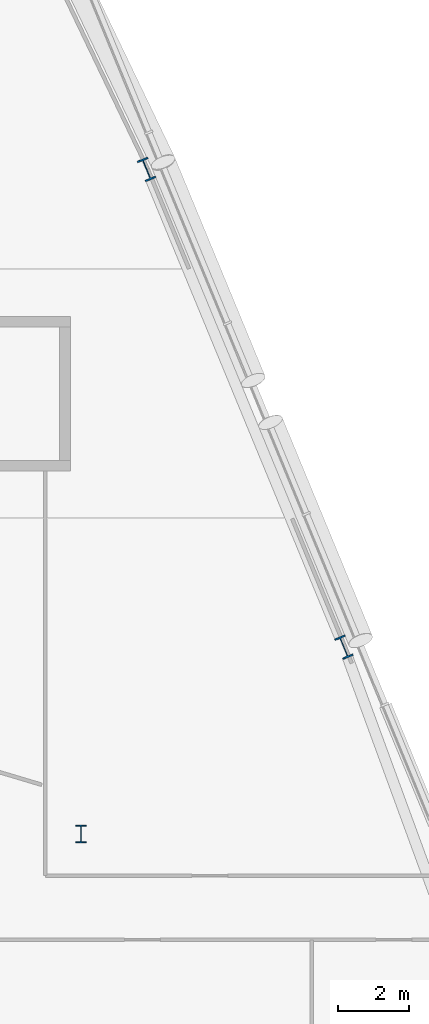
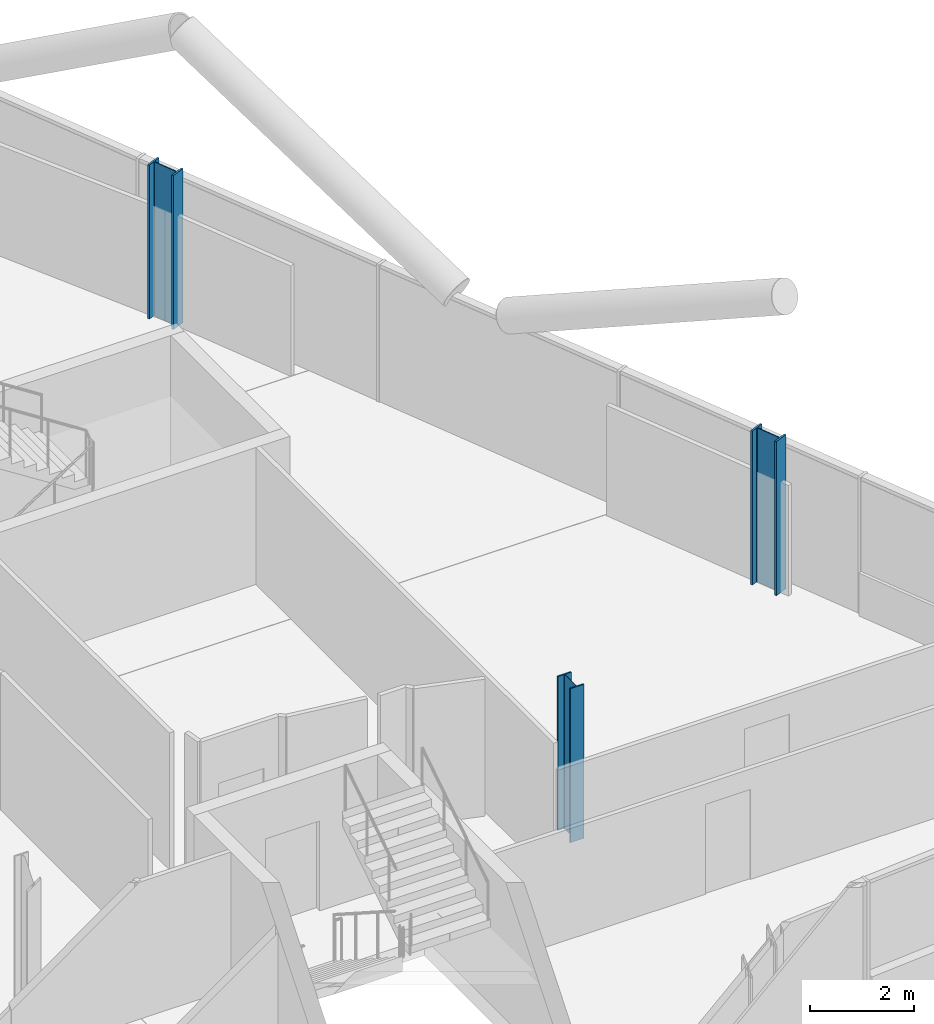
# One storey, part 5 of 27: 3 columns.
"""IFC4 building model written with IfcOpenShell, lengths in metres."""

import ifcopenshell
import ifcopenshell.guid

model = None  # the IFC model being written
_history = None  # IfcOwnerHistory: only IFC2X3 demands one
_inside = {}  # id of a spatial element -> (the spatial element, [elements in it])
_under = {}  # id of a project, library or spatial element -> (it, [spatial elements below it])
_declared = {}  # id of a project -> (the project, [libraries it declares])
_typed = {}  # id of a type object -> (the type object, [elements of that type])
_made_of = {}  # id of a material, layer set ... -> (it, [elements and type objects made of it])


def new_model(schema):
    """Start an empty IFC model of exactly this schema.

    Asked for "IFC4X3", IfcOpenShell would pick the latest addendum, in which some entities
    have other attributes; the version numbers below select the first issue.
    IFC2X3 requires an IfcOwnerHistory on every rooted entity: one is made here for all.
    """
    global model, _history
    if schema == "IFC4X3":
        model = ifcopenshell.file(schema_version=(4, 3, 0, 0))
    else:
        model = ifcopenshell.file(schema=schema)
    _inside.clear()
    _under.clear()
    _declared.clear()
    _typed.clear()
    _made_of.clear()
    _history = None
    if model.schema == "IFC2X3":
        org = make("IfcOrganization", Name="unknown")
        user = make(
            "IfcPersonAndOrganization",
            ThePerson=make("IfcPerson", FamilyName="unknown"),
            TheOrganization=org,
        )
        app = make(
            "IfcApplication",
            ApplicationDeveloper=org,
            Version="unknown",
            ApplicationFullName="unknown",
            ApplicationIdentifier="unknown",
        )
        _history = make(
            "IfcOwnerHistory",
            OwningUser=user,
            OwningApplication=app,
            ChangeAction="ADDED",
            CreationDate=0,
        )
    return model


def make(cls, **values):
    """One entity of the class cls with the attributes given. An attribute that is None is left unset."""
    return model.create_entity(
        cls, **{name: value for name, value in values.items() if value is not None}
    )


def rooted(cls, **values):
    """An entity with a GlobalId (a new one), such as an element, a storey or a relation."""
    return make(cls, GlobalId=ifcopenshell.guid.new(), OwnerHistory=_history, **values)


def si_unit(unit_type, name, prefix=None):
    """IfcSIUnit, for example si_unit("LENGTHUNIT", "METRE", prefix="MILLI")."""
    return make("IfcSIUnit", UnitType=unit_type, Prefix=prefix, Name=name)


def assignment(units):
    """IfcUnitAssignment: the units of a project."""
    return None if units is None else make("IfcUnitAssignment", Units=units)


def point(xyz):
    """IfcCartesianPoint."""
    return None if xyz is None else make("IfcCartesianPoint", Coordinates=xyz)


def direction(xyz):
    """IfcDirection."""
    return None if xyz is None else make("IfcDirection", DirectionRatios=xyz)


def frame(location, z_axis=None, x_axis=None):
    """IfcAxis2Placement3D, a coordinate frame: its origin and axes. An axis left out is left unset."""
    return make(
        "IfcAxis2Placement3D",
        Location=point(location),
        Axis=direction(z_axis),
        RefDirection=direction(x_axis),
    )


def frame_2d(location, x_axis=None):
    """IfcAxis2Placement2D, a coordinate frame in the plane: its origin and x axis."""
    return make(
        "IfcAxis2Placement2D", Location=point(location), RefDirection=direction(x_axis)
    )


def origin():
    """The frame at (0, 0, 0) with its axes left unset."""
    return frame((0.0, 0.0, 0.0))


def origin_2d():
    """The frame at (0, 0) in the plane with its x axis left unset."""
    return frame_2d((0.0, 0.0))


def place(relative_to, where):
    """IfcLocalPlacement: puts the frame where relative to a parent placement (None: the world)."""
    return make(
        "IfcLocalPlacement", PlacementRelTo=relative_to, RelativePlacement=where
    )


def context(
    kind, dimensions, precision=None, world=None, true_north=None, identifier=None
):
    """IfcGeometricRepresentationContext, for example the 3D "Model" context."""
    return make(
        "IfcGeometricRepresentationContext",
        ContextIdentifier=identifier,
        ContextType=kind,
        CoordinateSpaceDimension=dimensions,
        Precision=precision,
        WorldCoordinateSystem=world,
        TrueNorth=true_north,
    )


def subcontext(parent, identifier, kind, view, scale=None):
    """IfcGeometricRepresentationSubContext, for example "Body" below "Model"."""
    return make(
        "IfcGeometricRepresentationSubContext",
        ContextIdentifier=identifier,
        ContextType=kind,
        ParentContext=parent,
        TargetScale=scale,
        TargetView=view,
    )


def project(units=None, contexts=None):
    """IfcProject with its units and contexts."""
    return rooted(
        "IfcProject",
        Name="project",
        RepresentationContexts=contexts,
        UnitsInContext=assignment(units),
    )


def spatial(cls, under=None, at=None, **own):
    """A site, building, storey or space (cls), placed at a placement, below another one or the project."""
    s = rooted(cls, ObjectPlacement=at, **own)
    if under is not None:
        _under.setdefault(under.id(), (under, []))[1].append(s)
    return s


def profile(cls, at=None, kind="AREA", **sizes):
    """A parametric profile (cls). Its sizes go by their IFC names, for example OverallWidth=200.0."""
    return make(cls, ProfileType=kind, Position=at, **sizes)


def i_section(**sizes):
    """IfcIShapeProfileDef."""
    return profile("IfcIShapeProfileDef", **sizes)


def extrude(swept, where, along, depth):
    """IfcExtrudedAreaSolid: the profile swept, set in the frame where, extruded along a direction by depth."""
    return make(
        "IfcExtrudedAreaSolid",
        SweptArea=swept,
        Position=where,
        ExtrudedDirection=direction(along),
        Depth=depth,
    )


def shape(context_of_items, identifier, shape_type, items):
    """IfcShapeRepresentation: the items that make up one representation, for example the "Body"."""
    return make(
        "IfcShapeRepresentation",
        ContextOfItems=context_of_items,
        RepresentationIdentifier=identifier,
        RepresentationType=shape_type,
        Items=items,
    )


def material(Name=None, Category=None):
    """IfcMaterial."""
    return make("IfcMaterial", Name=Name, Category=Category)


def material_profile(
    of_material, cross_section, Name=None, Category=None, Priority=None
):
    """IfcMaterialProfile: a cross section and its material."""
    return make(
        "IfcMaterialProfile",
        Name=Name,
        Material=of_material,
        Profile=cross_section,
        Priority=Priority,
        Category=Category,
    )


def profile_set(profiles, Name=None, composite=None):
    """IfcMaterialProfileSet."""
    return make(
        "IfcMaterialProfileSet",
        Name=Name,
        MaterialProfiles=profiles,
        CompositeProfile=composite,
    )


def made_of(thing, what):
    """Note that an element or type object is made of a material, layer set ...; save() writes the relation."""
    if what is not None:
        _made_of.setdefault(what.id(), (what, []))[1].append(thing)
    return thing


def type_object(cls, material=None, **own):
    """A type object (cls), such as IfcWallType, which elements share."""
    return made_of(rooted(cls, **own), material)


def element(
    cls,
    number,
    at=None,
    inside=None,
    cuts=None,
    type_object=None,
    material=None,
    context=None,
    identifier="Body",
    shape_type=None,
    held_by="IfcProductDefinitionShape",
    body=None,
    shapes=None,
    **own,
):
    """One element of the class cls, such as IfcWall. Its Tag is "e" and its number.

    at: its placement. inside: the storey or other place that contains it. cuts: it is an
    opening in that element (IfcRelVoidsElement). A single representation is given by context,
    identifier, shape_type and body (its items); several are given by shapes. held_by: the class
    of the entity that holds the representations. save() writes the other relations.
    """
    e = rooted(cls, Tag="e%d" % number, ObjectPlacement=at, **own)
    if body is not None:
        shapes = [shape(context, identifier, shape_type, body)]
    if shapes is not None:
        e.Representation = make(held_by, Representations=shapes)
    if inside is not None:
        _inside.setdefault(inside.id(), (inside, []))[1].append(e)
    if cuts is not None:
        rooted(
            "IfcRelVoidsElement", RelatingBuildingElement=cuts, RelatedOpeningElement=e
        )
    if type_object is not None:
        _typed.setdefault(type_object.id(), (type_object, []))[1].append(e)
    return made_of(e, material)


def aggregate(whole, parts):
    """IfcRelAggregates: a whole, such as a stair, and the parts it consists of."""
    return rooted("IfcRelAggregates", RelatingObject=whole, RelatedObjects=parts)


def save(model, path):
    """Write the relations noted so far, then the file.

    IfcRelAggregates (storeys below a building ...), IfcRelContainedInSpatialStructure (elements
    in a storey), IfcRelDefinesByType, IfcRelAssociatesMaterial and IfcRelDeclares: one each for
    every whole, place, type object, material and project.
    """
    for whole, parts in _under.values():
        aggregate(whole, parts)
    for where, things in _inside.values():
        rooted(
            "IfcRelContainedInSpatialStructure",
            RelatedElements=things,
            RelatingStructure=where,
        )
    for kind, things in _typed.values():
        rooted("IfcRelDefinesByType", RelatedObjects=things, RelatingType=kind)
    for what, things in _made_of.values():
        rooted("IfcRelAssociatesMaterial", RelatedObjects=things, RelatingMaterial=what)
    for by, libraries in _declared.values():
        rooted("IfcRelDeclares", RelatingContext=by, RelatedDefinitions=libraries)
    model.write(path)


model = new_model("IFC4")

# Units and contexts
model_context = context("Model", 3, precision=1e-05, world=origin(), true_north=direction((0.0, 1.0)))
body_context = subcontext(model_context, "Body", "Model", "MODEL_VIEW")
ifc_project = project(units=[si_unit("LENGTHUNIT", "METRE"), si_unit("AREAUNIT", "SQUARE_METRE"), si_unit("VOLUMEUNIT", "CUBIC_METRE"), si_unit("PLANEANGLEUNIT", "RADIAN"), si_unit("MASSUNIT", "GRAM", prefix="KILO")], contexts=[model_context])

# Site, building, storey
site_placement = place(None, origin())
site = spatial("IfcSite", under=ifc_project, at=site_placement, CompositionType="ELEMENT")
building_placement = place(site_placement, origin())
building = spatial("IfcBuilding", under=site, at=building_placement, Name="Wharfspan Tower", CompositionType="ELEMENT")
storey_placement = place(building_placement, frame((0.0, 0.0, 195.100098)))
storey = spatial("IfcBuildingStorey", under=building, at=storey_placement, Name="L48", CompositionType="ELEMENT", Elevation=195.100098)

# Columns
ifc_material = material(Name="Steel S355J2", Category="steel")
ifc_material_profile_1 = material_profile(ifc_material, i_section(OverallWidth=0.300049, OverallDepth=0.5, WebThickness=0.014404, FlangeThickness=0.028076, FilletRadius=0.0271, at=origin_2d()))
ifc_profile_set_1 = profile_set([ifc_material_profile_1], Name="Steel S355J2")
column_type_1 = type_object("IfcColumnType", Name="Column HEB 500", PredefinedType="COLUMN", material=ifc_profile_set_1)
column_placement = place(storey_placement, frame((72.0, 11.5, 0.0), z_axis=(0.0, 0.0, 1.0), x_axis=(1.0, 0.0, 0.0)))
element("IfcColumn", 1, at=column_placement, inside=storey, type_object=column_type_1, Name="Interior column I.1.5 L48", PredefinedType="COLUMN", context=body_context, shape_type="SweptSolid", body=[
    extrude(i_section(OverallWidth=0.300049, OverallDepth=0.5, WebThickness=0.014404, FlangeThickness=0.028076, FilletRadius=0.0271, at=origin_2d()), origin(), (0.0, 0.0, 1.0), 3.599854),
])
ifc_material_profile_2 = material_profile(ifc_material, i_section(OverallWidth=0.304932, OverallDepth=0.620117, WebThickness=0.020996, FlangeThickness=0.040039, FilletRadius=0.0271, at=origin_2d()))
ifc_profile_set_2 = profile_set([ifc_material_profile_2], Name="Steel S355J2")
column_type_2 = type_object("IfcColumnType", Name="Column HEM 600", PredefinedType="COLUMN", material=ifc_profile_set_2)
for number, where, z_axis, x_axis, name in (
    (2, (79.409668, 16.761719, 0.0), (0.0, 0.0, 1.0), (0.924325, 0.381602, 0.0), "Perimeter column PE.1 L48"),
    (3, (73.85376, 30.219238, 0.0), (0.0, 0.0, 1.0), (0.924325, 0.381602, 0.0), "Perimeter column PE.2 L48"),
):
    element("IfcColumn", number, at=place(storey_placement, frame(where, z_axis=z_axis, x_axis=x_axis)), inside=storey, type_object=column_type_2, Name=name, PredefinedType="COLUMN", context=body_context, shape_type="SweptSolid", body=[
        extrude(i_section(OverallWidth=0.304932, OverallDepth=0.620117, WebThickness=0.020996, FlangeThickness=0.040039, FilletRadius=0.0271, at=origin_2d()), origin(), (0.0, 0.0, 1.0), 3.599854),
    ])

save(model, "model.ifc")
